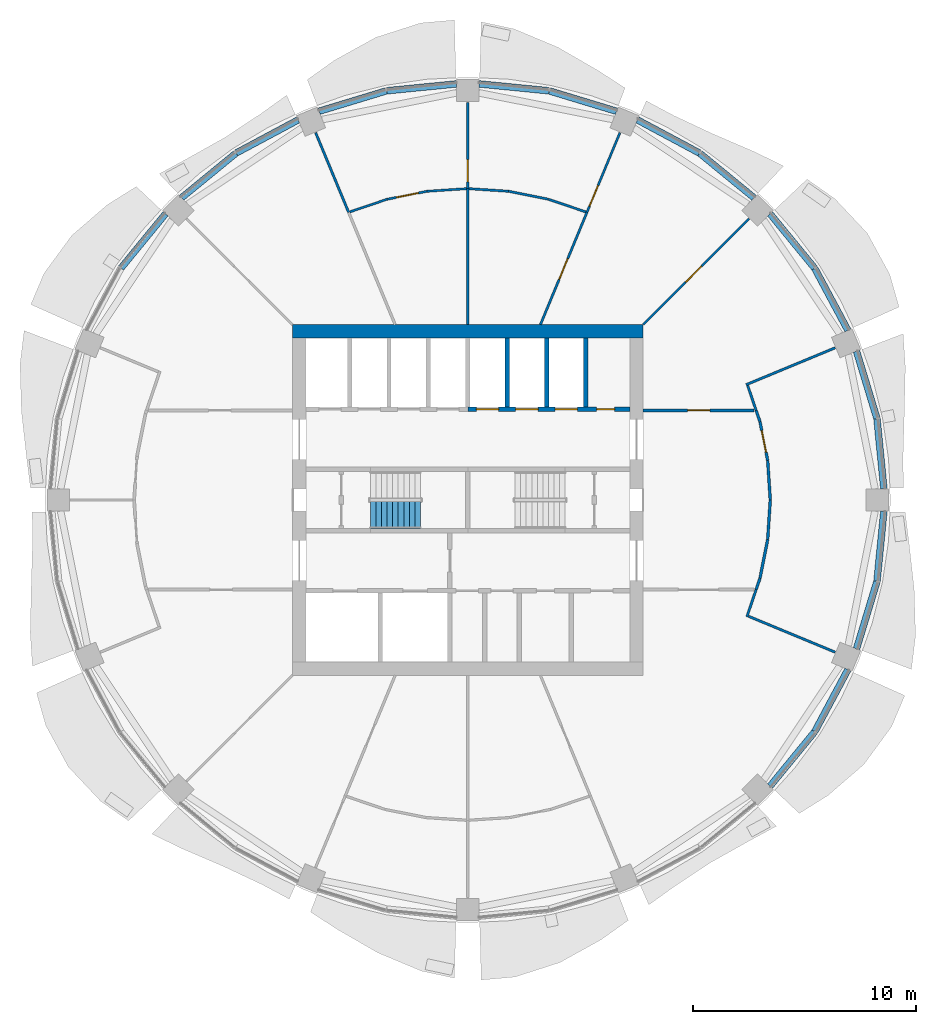
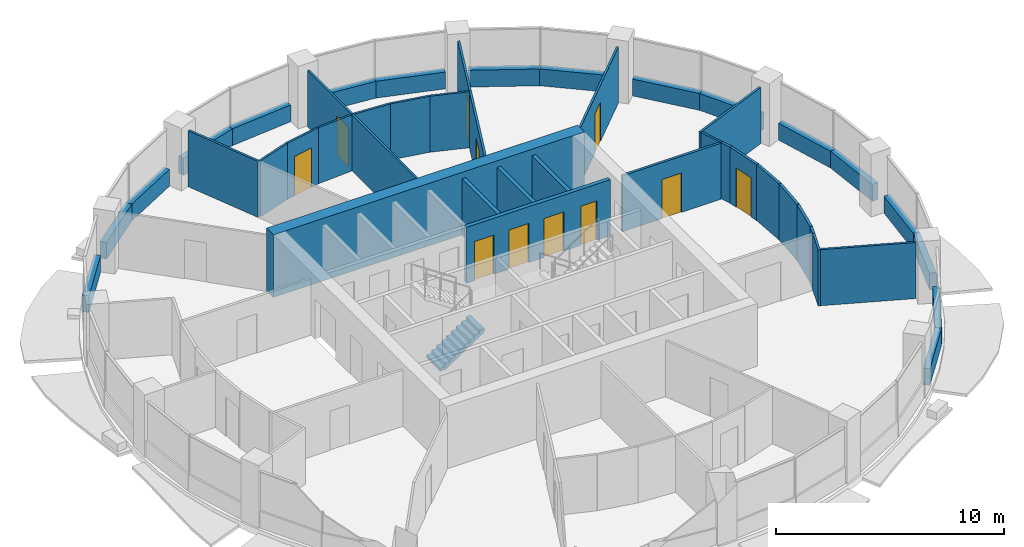
# One storey, part 10 of 15: 45 walls, 11 doors, 1 stair flight, 11 openings, 1 element without a shape of its own.
"""IFC4 building model written with IfcOpenShell, lengths in metres."""

from ifc_helpers import new_model, si_unit, direction, frame, frame_2d, origin, place, context, subcontext, project, spatial, polyline, rectangle, outline, extrude, material, layer, layer_set, type_object, element, fill, aggregate, save


model = new_model("IFC4")

# Units and contexts
model_context = context("Model", 3, precision=1e-05, world=origin(), true_north=direction((0.0, 1.0)))
body_context = subcontext(model_context, "Body", "Model", "MODEL_VIEW")
ifc_project = project(units=[si_unit("LENGTHUNIT", "METRE"), si_unit("AREAUNIT", "SQUARE_METRE"), si_unit("VOLUMEUNIT", "CUBIC_METRE"), si_unit("PLANEANGLEUNIT", "RADIAN"), si_unit("MASSUNIT", "GRAM", prefix="KILO")], contexts=[model_context])

# Site, building, storey
site_placement = place(None, origin())
site = spatial("IfcSite", under=ifc_project, at=site_placement, CompositionType="ELEMENT")
building_placement = place(site_placement, origin())
building = spatial("IfcBuilding", under=site, at=building_placement, Name="Polderwave Tower", CompositionType="ELEMENT")
storey_placement = place(building_placement, frame((0.0, 0.0, 131.0)))
storey = spatial("IfcBuildingStorey", under=building, at=storey_placement, Name="L34", CompositionType="ELEMENT", Elevation=131.0)

# Walls
ifc_material_1 = material(Name="Concrete C60/75", Category="concrete")
ifc_layer_1 = layer(ifc_material_1, 0.60009765625)
ifc_layer_set_1 = layer_set([ifc_layer_1], Name="CORE WALL 600 C60/75")
wall_type_1 = type_object("IfcWallType", Name="CORE WALL 600 C60/75", PredefinedType="SHEAR", material=ifc_layer_set_1)
wall_1_placement = place(storey_placement, frame((-7.8740234375, 7.573974609375, 0.0), z_axis=(0.0, 0.0, 1.0), x_axis=(1.0, 0.0, 0.0)))
element("IfcWall", 1, at=wall_1_placement, inside=storey, type_object=wall_type_1, Name="ST-CORE-L34-N", PredefinedType="SHEAR", context=body_context, shape_type="SweptSolid", body=[
    extrude(rectangle(XDim=15.748046875, YDim=0.60009765625, at=frame_2d((7.8740234375, 0.0))), origin(), (0.0, 0.0, 1.0), 3.35009765625),
])
ifc_material_2 = material(Name="Concrete C50/60 (board-marked)", Category="concrete")
ifc_layer_2 = layer(ifc_material_2, 0.300048828125)
ifc_layer_set_2 = layer_set([ifc_layer_2], Name="Concrete spandrel upstand C50/60")
wall_type_2 = type_object("IfcWallType", Name="Concrete spandrel upstand C50/60", PredefinedType="SOLIDWALL", material=ifc_layer_set_2)
for number, where, z_axis, x_axis, name in (
    (2, (18.679443359375, 0.513916015625, 0.0), (0.0, 0.0, 1.0), (-0.098033428421, 0.995183122301, 0.0), "Spandrel L34 1a"),
    (3, (18.365478515625, 3.66845703125, 0.0), (0.0, 0.0, 1.0), (-0.290434573745, 0.956894852308, 0.0), "Spandrel L34 1b"),
):
    element("IfcWall", number, at=place(storey_placement, frame(where, z_axis=z_axis, x_axis=x_axis)), inside=storey, type_object=wall_type_2, Name=name, PredefinedType="SOLIDWALL", context=body_context, shape_type="SweptSolid", body=[
        extrude(rectangle(XDim=3.140380859375, YDim=0.300048828125, at=frame_2d((1.5703125, 0.0))), origin(), (0.0, 0.0, 1.0), 0.89990234375),
    ])
for number, where, z_axis, x_axis, name in (
    (4, (17.060791015625, 7.623291015625, 0.0), (0.0, 0.0, 1.0), (-0.471487773873, 0.881872597991, 0.0), "Spandrel L34 2a"),
    (5, (15.5634765625, 10.41748046875, 0.0), (0.0, 0.0, 1.0), (-0.634270150579, 0.773111490074, 0.0), "Spandrel L34 2b"),
    (6, (12.845458984375, 13.571533203125, 0.0), (0.0, 0.0, 1.0), (-0.773111490074, 0.634270150579, 0.0), "Spandrel L34 3a"),
    (7, (10.392822265625, 15.580078125, 0.0), (0.0, 0.0, 1.0), (-0.881872597991, 0.471487773873, 0.0), "Spandrel L34 3b"),
):
    element("IfcWall", number, at=place(storey_placement, frame(where, z_axis=z_axis, x_axis=x_axis)), inside=storey, type_object=wall_type_2, Name=name, PredefinedType="SOLIDWALL", context=body_context, shape_type="SweptSolid", body=[
        extrude(rectangle(XDim=3.140625, YDim=0.300048828125, at=frame_2d((1.5703125, 0.0))), origin(), (0.0, 0.0, 1.0), 0.89990234375),
    ])
for number, where, z_axis, x_axis, name in (
    (8, (6.673583984375, 17.453369140625, 0.0), (0.0, 0.0, 1.0), (-0.956894852308, 0.290434573745, 0.0), "Spandrel L34 4a"),
    (9, (3.63916015625, 18.37158203125, 0.0), (0.0, 0.0, 1.0), (-0.995183122301, 0.098033428421, 0.0), "Spandrel L34 4b"),
    (10, (-0.513916015625, 18.679443359375, 0.0), (0.0, 0.0, 1.0), (-0.995183122301, -0.098033428421, 0.0), "Spandrel L34 5a"),
    (11, (-3.66845703125, 18.365478515625, 0.0), (0.0, 0.0, 1.0), (-0.956894852308, -0.290434573745, 0.0), "Spandrel L34 5b"),
):
    element("IfcWall", number, at=place(storey_placement, frame(where, z_axis=z_axis, x_axis=x_axis)), inside=storey, type_object=wall_type_2, Name=name, PredefinedType="SOLIDWALL", context=body_context, shape_type="SweptSolid", body=[
        extrude(rectangle(XDim=3.140380859375, YDim=0.300048828125, at=frame_2d((1.5703125, 0.0))), origin(), (0.0, 0.0, 1.0), 0.89990234375),
    ])
for number, where, z_axis, x_axis, name in (
    (12, (-7.623291015625, 17.060791015625, 0.0), (0.0, 0.0, 1.0), (-0.881872597991, -0.471487773873, 0.0), "Spandrel L34 6a"),
    (13, (-10.41748046875, 15.5634765625, 0.0), (0.0, 0.0, 1.0), (-0.773111490074, -0.634270150579, 0.0), "Spandrel L34 6b"),
    (14, (-13.571533203125, 12.845458984375, 0.0), (0.0, 0.0, 1.0), (-0.634270150579, -0.773111490074, 0.0), "Spandrel L34 7a"),
    (15, (13.571533203125, -12.845458984375, 0.0), (0.0, 0.0, 1.0), (0.634270150579, 0.773111490074, 0.0), "Spandrel L34 15a"),
    (16, (15.580078125, -10.392822265625, 0.0), (0.0, 0.0, 1.0), (0.471487773873, 0.881872597991, 0.0), "Spandrel L34 15b"),
):
    element("IfcWall", number, at=place(storey_placement, frame(where, z_axis=z_axis, x_axis=x_axis)), inside=storey, type_object=wall_type_2, Name=name, PredefinedType="SOLIDWALL", context=body_context, shape_type="SweptSolid", body=[
        extrude(rectangle(XDim=3.140625, YDim=0.300048828125, at=frame_2d((1.5703125, 0.0))), origin(), (0.0, 0.0, 1.0), 0.89990234375),
    ])
for number, where, z_axis, x_axis, name in (
    (17, (17.453369140625, -6.673583984375, 0.0), (0.0, 0.0, 1.0), (0.290434573745, 0.956894852308, 0.0), "Spandrel L34 16a"),
    (18, (18.37158203125, -3.63916015625, 0.0), (0.0, 0.0, 1.0), (0.098033428421, 0.995183122301, 0.0), "Spandrel L34 16b"),
):
    element("IfcWall", number, at=place(storey_placement, frame(where, z_axis=z_axis, x_axis=x_axis)), inside=storey, type_object=wall_type_2, Name=name, PredefinedType="SOLIDWALL", context=body_context, shape_type="SweptSolid", body=[
        extrude(rectangle(XDim=3.140380859375, YDim=0.300048828125, at=frame_2d((1.5703125, 0.0))), origin(), (0.0, 0.0, 1.0), 0.89990234375),
    ])

# Wall, openings, doors
ifc_material_3 = material(Name="Concrete C50/60", Category="concrete")
ifc_layer_3 = layer(ifc_material_3, 0.199951171875)
ifc_layer_set_3 = layer_set([ifc_layer_3], Name="Core web wall 200")
wall_type_3 = type_object("IfcWallType", Name="Core web wall 200", PredefinedType="SHEAR", material=ifc_layer_set_3)
wall_2_placement = place(storey_placement, frame((0.0, 4.073974609375, 0.0), z_axis=(0.0, 0.0, 1.0), x_axis=(1.0, 0.0, 0.0)))
wall_2 = element("IfcWall", 19, at=wall_2_placement, inside=storey, type_object=wall_type_3, Name="L34 north front wall 2", PredefinedType="SHEAR", context=body_context, shape_type="SweptSolid", body=[
    extrude(rectangle(XDim=7.27392578125, YDim=0.199951171875, at=frame_2d((3.636962890625, 0.0))), origin(), (0.0, 0.0, 1.0), 3.0),
])
opening_1_placement = place(wall_2_placement, frame((0.38427734375, 0.0, 0.0)))
opening_1 = element("IfcOpeningElement", 20, at=opening_1_placement, cuts=wall_2, Name="Opening L34-D07", PredefinedType="OPENING", context=body_context, shape_type="SweptSolid", body=[
    extrude(rectangle(XDim=1.0, YDim=2.10009765625, at=frame_2d((0.5, 1.050048828125))), frame((0.0, 0.10986328125, 0.0), z_axis=(0.0, -1.0, 0.0), x_axis=(1.0, 0.0, 0.0)), (0.0, 0.0, 1.0), 0.219970703125),
])
opening_2_placement = place(wall_2_placement, frame((2.15283203125, 0.0, 0.0)))
opening_2 = element("IfcOpeningElement", 21, at=opening_2_placement, cuts=wall_2, Name="Opening L34-D08", PredefinedType="OPENING", context=body_context, shape_type="SweptSolid", body=[
    extrude(rectangle(XDim=1.0, YDim=2.10009765625, at=frame_2d((0.5, 1.050048828125))), frame((0.0, 0.10986328125, 0.0), z_axis=(0.0, -1.0, 0.0), x_axis=(1.0, 0.0, 0.0)), (0.0, 0.0, 1.0), 0.219970703125),
])
opening_3_placement = place(wall_2_placement, frame((3.921142578125, 0.0, 0.0)))
opening_3 = element("IfcOpeningElement", 22, at=opening_3_placement, cuts=wall_2, Name="Opening L34-D09", PredefinedType="OPENING", context=body_context, shape_type="SweptSolid", body=[
    extrude(rectangle(XDim=1.0, YDim=2.10009765625, at=frame_2d((0.5, 1.050048828125))), frame((0.0, 0.10986328125, 0.0), z_axis=(0.0, -1.0, 0.0), x_axis=(1.0, 0.0, 0.0)), (0.0, 0.0, 1.0), 0.219970703125),
])
opening_4_placement = place(wall_2_placement, frame((5.789794921875, 0.0, 0.0)))
opening_4 = element("IfcOpeningElement", 23, at=opening_4_placement, cuts=wall_2, Name="Opening L34-D19", PredefinedType="OPENING", context=body_context, shape_type="SweptSolid", body=[
    extrude(rectangle(XDim=0.800048828125, YDim=2.10009765625, at=frame_2d((0.39990234375, 1.050048828125))), frame((0.0, 0.10986328125, 0.0), z_axis=(0.0, -1.0, 0.0), x_axis=(1.0, 0.0, 0.0)), (0.0, 0.0, 1.0), 0.219970703125),
])
ifc_material_4 = material(Name="Stainless steel", Category="steel")
door_type_1 = type_object("IfcDoorType", Name="Lift landing door 1000", OperationType="DOUBLE_DOOR_SLIDING", PredefinedType="DOOR", material=ifc_material_4)
door_1_placement = place(opening_1_placement, frame((1.0, 0.0, 0.0), z_axis=(0.0, 0.0, 1.0), x_axis=(-1.0, 0.0, 0.0)))
door_1 = element("IfcDoor", 24, at=door_1_placement, inside=storey, type_object=door_type_1, Name="Lift HL5 landing door", OperationType="DOUBLE_DOOR_SLIDING", OverallHeight=2.10009765625, OverallWidth=1.0, PredefinedType="DOOR", context=body_context, shape_type="SweptSolid", body=[
    extrude(rectangle(XDim=1.0, YDim=2.10009765625, at=frame_2d((0.5, 1.050048828125))), frame((0.0, 0.02490234375, 0.0), z_axis=(0.0, -1.0, 0.0), x_axis=(1.0, 0.0, 0.0)), (0.0, 0.0, 1.0), 0.050048828125),
])
fill(opening_1, door_1)
door_2_placement = place(opening_2_placement, frame((1.0, 0.0, 0.0), z_axis=(0.0, 0.0, 1.0), x_axis=(-1.0, 0.0, 0.0)))
door_2 = element("IfcDoor", 25, at=door_2_placement, inside=storey, type_object=door_type_1, Name="Lift HL6 landing door", OperationType="DOUBLE_DOOR_SLIDING", OverallHeight=2.10009765625, OverallWidth=1.0, PredefinedType="DOOR", context=body_context, shape_type="SweptSolid", body=[
    extrude(rectangle(XDim=1.0, YDim=2.10009765625, at=frame_2d((0.5, 1.050048828125))), frame((0.0, 0.02490234375, 0.0), z_axis=(0.0, -1.0, 0.0), x_axis=(1.0, 0.0, 0.0)), (0.0, 0.0, 1.0), 0.050048828125),
])
fill(opening_2, door_2)
door_3_placement = place(opening_3_placement, frame((1.0, 0.0, 0.0), z_axis=(0.0, 0.0, 1.0), x_axis=(-1.0, 0.0, 0.0)))
door_3 = element("IfcDoor", 26, at=door_3_placement, inside=storey, type_object=door_type_1, Name="Lift HL7 landing door", OperationType="DOUBLE_DOOR_SLIDING", OverallHeight=2.10009765625, OverallWidth=1.0, PredefinedType="DOOR", context=body_context, shape_type="SweptSolid", body=[
    extrude(rectangle(XDim=1.0, YDim=2.10009765625, at=frame_2d((0.5, 1.050048828125))), frame((0.0, 0.02490234375, 0.0), z_axis=(0.0, -1.0, 0.0), x_axis=(1.0, 0.0, 0.0)), (0.0, 0.0, 1.0), 0.050048828125),
])
fill(opening_3, door_3)
ifc_material_5 = material(Name="Steel fire door", Category="steel")
door_type_2 = type_object("IfcDoorType", Name="Riser door 800", OperationType="NOTDEFINED", PredefinedType="DOOR", material=ifc_material_5)
door_4_placement = place(opening_4_placement, frame((0.800048828125, 0.0, 0.0), z_axis=(0.0, 0.0, 1.0), x_axis=(-1.0, 0.0, 0.0)))
door_4 = element("IfcDoor", 27, at=door_4_placement, inside=storey, type_object=door_type_2, Name="Riser door", OperationType="SINGLE_SWING_LEFT", OverallHeight=2.10009765625, OverallWidth=0.800048828125, PredefinedType="DOOR", context=body_context, shape_type="SweptSolid", body=[
    extrude(rectangle(XDim=0.800048828125, YDim=2.10009765625, at=frame_2d((0.39990234375, 1.050048828125))), frame((0.0, 0.02490234375, 0.0), z_axis=(0.0, -1.0, 0.0), x_axis=(1.0, 0.0, 0.0)), (0.0, 0.0, 1.0), 0.050048828125),
])
fill(opening_4, door_4)

# Walls
ifc_material_6 = material(Name="Fire-resisting board on steel studs", Category="steel")
ifc_layer_4 = layer(ifc_material_6, 0.125)
ifc_layer_set_4 = layer_set([ifc_layer_4], Name="Corridor wall 125 mm EI 60")
wall_type_4 = type_object("IfcWallType", Name="Corridor wall 125 mm EI 60", PredefinedType="PARTITIONING", material=ifc_layer_set_4)
for number, where, z_axis, x_axis, name in (
    (28, (12.944091796875, 4.0244140625, 0.0), (0.0, 0.0, 1.0), (0.321845361422, -0.946792249298, 0.0), "IN-L34-W001"),
    (29, (13.115966796875, -3.518798828125, 0.0), (0.0, 0.0, 1.0), (-0.321845361422, -0.946792249298, 0.0), "IN-L34-W002"),
):
    element("IfcWall", number, at=place(storey_placement, frame(where, z_axis=z_axis, x_axis=x_axis)), inside=storey, type_object=wall_type_4, Name=name, PredefinedType="PARTITIONING", context=body_context, shape_type="SweptSolid", body=[
        extrude(rectangle(XDim=0.533935546875, YDim=0.125, at=frame_2d((0.26708984375, 0.0))), origin(), (0.0, 0.0, 1.0), 3.0),
    ])

# Wall, opening, door
wall_3_placement = place(storey_placement, frame((13.1181640625, 3.5107421875, 0.0), z_axis=(0.0, 0.0, 1.0), x_axis=(0.194974156358, -0.980808380038, 0.0)))
wall_3 = element("IfcWall", 30, at=wall_3_placement, inside=storey, type_object=wall_type_4, Name="IN-L34-W003", PredefinedType="PARTITIONING", context=body_context, shape_type="SweptSolid", body=[
    extrude(rectangle(XDim=1.76806640625, YDim=0.125, at=frame_2d((0.884033203125, 0.0))), origin(), (0.0, 0.0, 1.0), 3.0),
])
opening_5_placement = place(wall_3_placement, frame((0.39990234375, 0.0, 0.0)))
opening_5 = element("IfcOpeningElement", 31, at=opening_5_placement, cuts=wall_3, Name="Opening L34-D50", PredefinedType="OPENING", context=body_context, shape_type="SweptSolid", body=[
    extrude(rectangle(XDim=1.0, YDim=2.10009765625, at=frame_2d((0.5, 1.050048828125))), frame((0.0, 0.072509765625, 0.0), z_axis=(0.0, -1.0, 0.0), x_axis=(1.0, 0.0, 0.0)), (0.0, 0.0, 1.0), 0.14501953125),
])
ifc_material_7 = material(Name="Timber fire door leaf", Category="wood")
door_type_3 = type_object("IfcDoorType", Name="Fire door FD30S 1000 x 2100", OperationType="NOTDEFINED", PredefinedType="DOOR", material=ifc_material_7)
door_5_placement = place(opening_5_placement, origin())
door_5 = element("IfcDoor", 32, at=door_5_placement, inside=storey, type_object=door_type_3, Name="Door L34-D50", OperationType="SINGLE_SWING_RIGHT", OverallHeight=2.10009765625, OverallWidth=1.0, PredefinedType="DOOR", context=body_context, shape_type="SweptSolid", body=[
    extrude(rectangle(XDim=1.0, YDim=2.10009765625, at=frame_2d((0.5, 1.050048828125))), frame((0.0, 0.02490234375, 0.0), z_axis=(0.0, -1.0, 0.0), x_axis=(1.0, 0.0, 0.0)), (0.0, 0.0, 1.0), 0.050048828125),
])
fill(opening_5, door_5)

# Walls
wall_4_placement = place(storey_placement, frame((13.462890625, -1.776611328125, 0.0), z_axis=(0.0, 0.0, 1.0), x_axis=(-0.194974156358, -0.980808380038, 0.0)))
element("IfcWall", 33, at=wall_4_placement, inside=storey, type_object=wall_type_4, Name="IN-L34-W004", PredefinedType="PARTITIONING", context=body_context, shape_type="SweptSolid", body=[
    extrude(rectangle(XDim=1.76806640625, YDim=0.125, at=frame_2d((0.884033203125, 0.0))), origin(), (0.0, 0.0, 1.0), 3.0),
])
for number, where, z_axis, x_axis, name in (
    (34, (13.464111328125, 1.768310546875, 0.0), (0.0, 0.0, 1.0), (0.06531828113, -0.997864480854, 0.0), "IN-L34-W005"),
    (35, (13.57958984375, -0.004150390625, 0.0), (0.0, 0.0, 1.0), (-0.06531828113, -0.997864480854, 0.0), "IN-L34-W006"),
):
    element("IfcWall", number, at=place(storey_placement, frame(where, z_axis=z_axis, x_axis=x_axis)), inside=storey, type_object=wall_type_4, Name=name, PredefinedType="PARTITIONING", context=body_context, shape_type="SweptSolid", body=[
        extrude(rectangle(XDim=1.767822265625, YDim=0.125, at=frame_2d((0.8837890625, 0.0))), origin(), (0.0, 0.0, 1.0), 3.0),
    ])

# Wall, opening, door
wall_5_placement = place(storey_placement, frame((7.8740234375, 4.0244140625, 0.0), z_axis=(0.0, 0.0, 1.0), x_axis=(1.0, 0.0, 0.0)))
wall_5 = element("IfcWall", 36, at=wall_5_placement, inside=storey, type_object=wall_type_4, Name="IN-L34-W007", PredefinedType="PARTITIONING", context=body_context, shape_type="SweptSolid", body=[
    extrude(rectangle(XDim=4.98291015625, YDim=0.125, at=frame_2d((2.491455078125, 0.0))), origin(), (0.0, 0.0, 1.0), 3.0),
])
opening_6_placement = place(wall_5_placement, frame((2.0, 0.0, 0.0)))
opening_6 = element("IfcOpeningElement", 37, at=opening_6_placement, cuts=wall_5, Name="Opening L34-D51", PredefinedType="OPENING", context=body_context, shape_type="SweptSolid", body=[
    extrude(rectangle(XDim=1.0, YDim=2.10009765625, at=frame_2d((0.5, 1.050048828125))), frame((0.0, 0.072509765625, 0.0), z_axis=(0.0, -1.0, 0.0), x_axis=(1.0, 0.0, 0.0)), (0.0, 0.0, 1.0), 0.14501953125),
])
door_6_placement = place(opening_6_placement, origin())
door_6 = element("IfcDoor", 38, at=door_6_placement, inside=storey, type_object=door_type_3, Name="Door L34-D51", OperationType="SINGLE_SWING_RIGHT", OverallHeight=2.10009765625, OverallWidth=1.0, PredefinedType="DOOR", context=body_context, shape_type="SweptSolid", body=[
    extrude(rectangle(XDim=1.0, YDim=2.10009765625, at=frame_2d((0.5, 1.050048828125))), frame((0.0, 0.02490234375, 0.0), z_axis=(0.0, -1.0, 0.0), x_axis=(1.0, 0.0, 0.0)), (0.0, 0.0, 1.0), 0.050048828125),
])
fill(opening_6, door_6)

ifc_material_8 = material(Name="Plasterboard on steel studs", Category="steel")
ifc_layer_5 = layer(ifc_material_8, 0.10009765625)
ifc_layer_set_5 = layer_set([ifc_layer_5], Name="Partition 100 mm plasterboard on steel studs")
wall_type_5 = type_object("IfcWallType", Name="Partition 100 mm plasterboard on steel studs", PredefinedType="PARTITIONING", material=ifc_layer_set_5)
wall_6_placement = place(storey_placement, frame((7.8740234375, 7.8740234375, 0.0), z_axis=(0.0, 0.0, 1.0), x_axis=(0.707106781187, 0.707106781187, 0.0)))
wall_6 = element("IfcWall", 39, at=wall_6_placement, inside=storey, type_object=wall_type_5, Name="IN-L34-W021", PredefinedType="PARTITIONING", context=body_context, shape_type="SweptSolid", body=[
    extrude(rectangle(XDim=6.71435546875, YDim=0.10009765625, at=frame_2d((3.357177734375, 0.0))), origin(), (0.0, 0.0, 1.0), 3.0),
])
opening_7_placement = place(wall_6_placement, frame((2.699951171875, 0.0, 0.0)))
opening_7 = element("IfcOpeningElement", 40, at=opening_7_placement, cuts=wall_6, Name="Opening L34-D57", PredefinedType="OPENING", context=body_context, shape_type="SweptSolid", body=[
    extrude(rectangle(XDim=1.0, YDim=2.10009765625, at=frame_2d((0.5, 1.050048828125))), frame((0.0, 0.06005859375, 0.0), z_axis=(0.0, -1.0, 0.0), x_axis=(1.0, 0.0, 0.0)), (0.0, 0.0, 1.0), 0.1201171875),
])
ifc_material_9 = material(Name="Timber veneer door leaf", Category="wood")
door_type_4 = type_object("IfcDoorType", Name="Single door 1000 x 2100", OperationType="NOTDEFINED", PredefinedType="DOOR", material=ifc_material_9)
door_7_placement = place(opening_7_placement, origin())
door_7 = element("IfcDoor", 41, at=door_7_placement, inside=storey, type_object=door_type_4, Name="Door L34-D57", OperationType="SINGLE_SWING_LEFT", OverallHeight=2.10009765625, OverallWidth=1.0, PredefinedType="DOOR", context=body_context, shape_type="SweptSolid", body=[
    extrude(rectangle(XDim=1.0, YDim=2.10009765625, at=frame_2d((0.5, 1.050048828125))), frame((0.0, 0.02490234375, 0.0), z_axis=(0.0, -1.0, 0.0), x_axis=(1.0, 0.0, 0.0)), (0.0, 0.0, 1.0), 0.050048828125),
])
fill(opening_7, door_7)

wall_7_placement = place(storey_placement, frame((5.349853515625, 12.915771484375, 0.0), z_axis=(0.0, 0.0, 1.0), x_axis=(0.382674944996, 0.923883048049, 0.0)))
wall_7 = element("IfcWall", 42, at=wall_7_placement, inside=storey, type_object=wall_type_5, Name="IN-L34-W023", PredefinedType="PARTITIONING", context=body_context, shape_type="SweptSolid", body=[
    extrude(rectangle(XDim=3.8701171875, YDim=0.10009765625, at=frame_2d((1.93505859375, 0.0))), origin(), (0.0, 0.0, 1.0), 3.0),
])
opening_8_placement = place(wall_7_placement, frame((0.300048828125, 0.0, 0.0)))
opening_8 = element("IfcOpeningElement", 43, at=opening_8_placement, cuts=wall_7, Name="Opening L34-D59", PredefinedType="OPENING", context=body_context, shape_type="SweptSolid", body=[
    extrude(rectangle(XDim=1.0, YDim=2.10009765625, at=frame_2d((0.5, 1.050048828125))), frame((0.0, 0.06005859375, 0.0), z_axis=(0.0, -1.0, 0.0), x_axis=(1.0, 0.0, 0.0)), (0.0, 0.0, 1.0), 0.1201171875),
])
door_8_placement = place(opening_8_placement, origin())
door_8 = element("IfcDoor", 44, at=door_8_placement, inside=storey, type_object=door_type_4, Name="Door L34-D59", OperationType="SINGLE_SWING_LEFT", OverallHeight=2.10009765625, OverallWidth=1.0, PredefinedType="DOOR", context=body_context, shape_type="SweptSolid", body=[
    extrude(rectangle(XDim=1.0, YDim=2.10009765625, at=frame_2d((0.5, 1.050048828125))), frame((0.0, 0.02490234375, 0.0), z_axis=(0.0, -1.0, 0.0), x_axis=(1.0, 0.0, 0.0)), (0.0, 0.0, 1.0), 0.050048828125),
])
fill(opening_8, door_8)

wall_8_placement = place(storey_placement, frame((0.0, 13.97998046875, 0.0), z_axis=(0.0, 0.0, 1.0), x_axis=(0.0, 1.0, 0.0)))
wall_8 = element("IfcWall", 45, at=wall_8_placement, inside=storey, type_object=wall_type_5, Name="IN-L34-W028", PredefinedType="PARTITIONING", context=body_context, shape_type="SweptSolid", body=[
    extrude(rectangle(XDim=3.8701171875, YDim=0.10009765625, at=frame_2d((1.93505859375, 0.0))), origin(), (0.0, 0.0, 1.0), 3.0),
])
opening_9_placement = place(wall_8_placement, frame((0.300048828125, 0.0, 0.0)))
opening_9 = element("IfcOpeningElement", 46, at=opening_9_placement, cuts=wall_8, Name="Opening L34-D60", PredefinedType="OPENING", context=body_context, shape_type="SweptSolid", body=[
    extrude(rectangle(XDim=1.0, YDim=2.10009765625, at=frame_2d((0.5, 1.050048828125))), frame((0.0, 0.06005859375, 0.0), z_axis=(0.0, -1.0, 0.0), x_axis=(1.0, 0.0, 0.0)), (0.0, 0.0, 1.0), 0.1201171875),
])
door_9_placement = place(opening_9_placement, origin())
door_9 = element("IfcDoor", 47, at=door_9_placement, inside=storey, type_object=door_type_4, Name="Door L34-D60", OperationType="SINGLE_SWING_LEFT", OverallHeight=2.10009765625, OverallWidth=1.0, PredefinedType="DOOR", context=body_context, shape_type="SweptSolid", body=[
    extrude(rectangle(XDim=1.0, YDim=2.10009765625, at=frame_2d((0.5, 1.050048828125))), frame((0.0, 0.02490234375, 0.0), z_axis=(0.0, -1.0, 0.0), x_axis=(1.0, 0.0, 0.0)), (0.0, 0.0, 1.0), 0.050048828125),
])
fill(opening_9, door_9)

# Wall
wall_9_placement = place(storey_placement, frame((-5.294677734375, 12.9345703125, 0.0), z_axis=(0.0, 0.0, 1.0), x_axis=(0.946956178164, 0.321362718181, 0.0)))
element("IfcWall", 48, at=wall_9_placement, inside=storey, type_object=wall_type_5, Name="IN-L34-W029", PredefinedType="PARTITIONING", context=body_context, shape_type="SweptSolid", body=[
    extrude(rectangle(XDim=1.76708984375, YDim=0.10009765625, at=frame_2d((0.883544921875, 0.0))), origin(), (0.0, 0.0, 1.0), 3.0),
])

# Wall, opening, door
wall_10_placement = place(storey_placement, frame((-1.827880859375, 13.85986328125, 0.0), z_axis=(0.0, 0.0, 1.0), x_axis=(-0.980760623666, -0.195214238891, 0.0)))
wall_10 = element("IfcWall", 49, at=wall_10_placement, inside=storey, type_object=wall_type_5, Name="IN-L34-W030", PredefinedType="PARTITIONING", context=body_context, shape_type="SweptSolid", body=[
    extrude(rectangle(XDim=1.822265625, YDim=0.10009765625, at=frame_2d((0.9111328125, 0.0))), origin(), (0.0, 0.0, 1.0), 3.0),
])
opening_10_placement = place(wall_10_placement, frame((0.39990234375, 0.0, 0.0)))
opening_10 = element("IfcOpeningElement", 50, at=opening_10_placement, cuts=wall_10, Name="Opening L34-D61", PredefinedType="OPENING", context=body_context, shape_type="SweptSolid", body=[
    extrude(rectangle(XDim=1.0, YDim=2.10009765625, at=frame_2d((0.5, 1.050048828125))), frame((0.0, 0.06005859375, 0.0), z_axis=(0.0, -1.0, 0.0), x_axis=(1.0, 0.0, 0.0)), (0.0, 0.0, 1.0), 0.1201171875),
])
door_10_placement = place(opening_10_placement, origin())
door_10 = element("IfcDoor", 51, at=door_10_placement, inside=storey, type_object=door_type_4, Name="Door L34-D61", OperationType="SINGLE_SWING_LEFT", OverallHeight=2.10009765625, OverallWidth=1.0, PredefinedType="DOOR", context=body_context, shape_type="SweptSolid", body=[
    extrude(rectangle(XDim=1.0, YDim=2.10009765625, at=frame_2d((0.5, 1.050048828125))), frame((0.0, 0.02490234375, 0.0), z_axis=(0.0, -1.0, 0.0), x_axis=(1.0, 0.0, 0.0)), (0.0, 0.0, 1.0), 0.050048828125),
])
fill(opening_10, door_10)

# Wall
wall_11_placement = place(storey_placement, frame((-1.821533203125, 13.860595703125, 0.0), z_axis=(0.0, 0.0, 1.0), x_axis=(0.997859016196, 0.065401710962, 0.0)))
element("IfcWall", 52, at=wall_11_placement, inside=storey, type_object=wall_type_5, Name="IN-L34-W031", PredefinedType="PARTITIONING", context=body_context, shape_type="SweptSolid", body=[
    extrude(rectangle(XDim=1.76953125, YDim=0.10009765625, at=frame_2d((0.884765625, 0.0))), origin(), (0.0, 0.0, 1.0), 3.0),
])

# Wall, opening, door
ifc_material_10 = material(Name="Moisture-resistant board on steel studs, tiled", Category="steel")
ifc_layer_6 = layer(ifc_material_10, 0.10498046875)
ifc_layer_set_6 = layer_set([ifc_layer_6], Name="Partition 105 mm wet room board and tile")
wall_type_6 = type_object("IfcWallType", Name="Partition 105 mm wet room board and tile", PredefinedType="PARTITIONING", material=ifc_layer_set_6)
wall_12_placement = place(storey_placement, frame((3.261474609375, 7.8740234375, 0.0), z_axis=(0.0, 0.0, 1.0), x_axis=(0.38268632394, 0.923878334777, 0.0)))
wall_12 = element("IfcWall", 53, at=wall_12_placement, inside=storey, type_object=wall_type_6, Name="IN-L34-W022", PredefinedType="PARTITIONING", context=body_context, shape_type="SweptSolid", body=[
    extrude(rectangle(XDim=5.457275390625, YDim=0.10498046875, at=frame_2d((2.728515625, 0.0))), origin(), (0.0, 0.0, 1.0), 3.0),
])
opening_11_placement = place(wall_12_placement, frame((2.199951171875, 0.0, 0.0)))
opening_11 = element("IfcOpeningElement", 54, at=opening_11_placement, cuts=wall_12, Name="Opening L34-D58", PredefinedType="OPENING", context=body_context, shape_type="SweptSolid", body=[
    extrude(rectangle(XDim=1.0, YDim=2.10009765625, at=frame_2d((0.5, 1.050048828125))), frame((0.0, 0.0625, 0.0), z_axis=(0.0, -1.0, 0.0), x_axis=(1.0, 0.0, 0.0)), (0.0, 0.0, 1.0), 0.125),
])
door_11_placement = place(opening_11_placement, origin())
door_11 = element("IfcDoor", 55, at=door_11_placement, inside=storey, type_object=door_type_4, Name="Door L34-D58", OperationType="SINGLE_SWING_LEFT", OverallHeight=2.10009765625, OverallWidth=1.0, PredefinedType="DOOR", context=body_context, shape_type="SweptSolid", body=[
    extrude(rectangle(XDim=1.0, YDim=2.10009765625, at=frame_2d((0.5, 1.050048828125))), frame((0.0, 0.02490234375, 0.0), z_axis=(0.0, -1.0, 0.0), x_axis=(1.0, 0.0, 0.0)), (0.0, 0.0, 1.0), 0.050048828125),
])
fill(opening_11, door_11)

# Walls
wall_13_placement = place(storey_placement, frame((0.055908203125, 13.976318359375, 0.0), z_axis=(0.0, 0.0, 1.0), x_axis=(0.997858425888, -0.065410716895, 0.0)))
element("IfcWall", 56, at=wall_13_placement, inside=storey, type_object=wall_type_6, Name="IN-L34-W024", PredefinedType="PARTITIONING", context=body_context, shape_type="SweptSolid", body=[
    extrude(rectangle(XDim=1.769287109375, YDim=0.10498046875, at=frame_2d((0.884765625, 0.0))), origin(), (0.0, 0.0, 1.0), 3.0),
])
wall_14_placement = place(storey_placement, frame((1.828125, 13.859619140625, 0.0), z_axis=(0.0, 0.0, 1.0), x_axis=(0.980806803366, -0.194982087566, 0.0)))
element("IfcWall", 57, at=wall_14_placement, inside=storey, type_object=wall_type_6, Name="IN-L34-W025", PredefinedType="PARTITIONING", context=body_context, shape_type="SweptSolid", body=[
    extrude(rectangle(XDim=1.82177734375, YDim=0.10498046875, at=frame_2d((0.910888671875, 0.0))), origin(), (0.0, 0.0, 1.0), 3.0),
])
wall_15_placement = place(storey_placement, frame((3.62158203125, 13.50244140625, 0.0), z_axis=(0.0, 0.0, 1.0), x_axis=(0.946944205154, -0.321397996765, 0.0)))
element("IfcWall", 58, at=wall_15_placement, inside=storey, type_object=wall_type_6, Name="IN-L34-W026", PredefinedType="PARTITIONING", context=body_context, shape_type="SweptSolid", body=[
    extrude(rectangle(XDim=1.76904296875, YDim=0.10498046875, at=frame_2d((0.884521484375, 0.0))), origin(), (0.0, 0.0, 1.0), 3.0),
])
wall_16_placement = place(storey_placement, frame((0.0, 7.8740234375, 0.0), z_axis=(0.0, 0.0, 1.0), x_axis=(0.0, 1.0, 0.0)))
element("IfcWall", 59, at=wall_16_placement, inside=storey, type_object=wall_type_6, Name="IN-L34-W027", PredefinedType="PARTITIONING", context=body_context, shape_type="SweptSolid", body=[
    extrude(rectangle(XDim=6.10595703125, YDim=0.10498046875, at=frame_2d((3.052978515625, 0.0))), origin(), (0.0, 0.0, 1.0), 3.0),
])
ifc_material_11 = material(Name="Acoustic double plasterboard on steel studs", Category="steel")
ifc_layer_7 = layer(ifc_material_11, 0.110107421875)
ifc_layer_set_7 = layer_set([ifc_layer_7], Name="Partition 110 mm acoustic double board")
wall_type_7 = type_object("IfcWallType", Name="Partition 110 mm acoustic double board", PredefinedType="PARTITIONING", material=ifc_layer_set_7)
wall_17_placement = place(storey_placement, frame((12.49560546875, 5.17578125, 0.0), z_axis=(0.0, 0.0, 1.0), x_axis=(0.923879914952, 0.382682509071, 0.0)))
element("IfcWall", 60, at=wall_17_placement, inside=storey, type_object=wall_type_7, Name="IN-L34-W017", PredefinedType="PARTITIONING", context=body_context, shape_type="SweptSolid", body=[
    extrude(rectangle(XDim=4.32470703125, YDim=0.110107421875, at=frame_2d((2.162353515625, 0.0))), origin(), (0.0, 0.0, 1.0), 3.0),
])
wall_18_placement = place(storey_placement, frame((12.944091796875, 4.0244140625, 0.0), z_axis=(0.0, 0.0, 1.0), x_axis=(-0.321316236961, 0.946971950939, 0.0)))
element("IfcWall", 61, at=wall_18_placement, inside=storey, type_object=wall_type_7, Name="IN-L34-W018", PredefinedType="PARTITIONING", context=body_context, shape_type="SweptSolid", body=[
    extrude(rectangle(XDim=1.17919921875, YDim=0.110107421875, at=frame_2d((0.589599609375, 0.0))), origin(), (0.0, 0.0, 1.0), 3.0),
])
wall_19_placement = place(storey_placement, frame((12.528564453125, -5.248779296875, 0.0), z_axis=(0.0, 0.0, 1.0), x_axis=(0.321377985385, 0.946950996889, 0.0)))
element("IfcWall", 62, at=wall_19_placement, inside=storey, type_object=wall_type_7, Name="IN-L34-W019", PredefinedType="PARTITIONING", context=body_context, shape_type="SweptSolid", body=[
    extrude(rectangle(XDim=1.29296875, YDim=0.110107421875, at=frame_2d((0.646484375, 0.0))), origin(), (0.0, 0.0, 1.0), 3.0),
])
wall_20_placement = place(storey_placement, frame((16.4912109375, -6.830810546875, 0.0), z_axis=(0.0, 0.0, 1.0), x_axis=(-0.923877633043, 0.382688018055, 0.0)))
element("IfcWall", 63, at=wall_20_placement, inside=storey, type_object=wall_type_7, Name="IN-L34-W020", PredefinedType="PARTITIONING", context=body_context, shape_type="SweptSolid", body=[
    extrude(rectangle(XDim=4.211181640625, YDim=0.110107421875, at=frame_2d((2.10546875, 0.0))), origin(), (0.0, 0.0, 1.0), 3.0),
])
wall_21_placement = place(storey_placement, frame((-5.349853515625, 12.915771484375, 0.0), z_axis=(0.0, 0.0, 1.0), x_axis=(-0.382674944996, 0.923883048049, 0.0)))
element("IfcWall", 64, at=wall_21_placement, inside=storey, type_object=wall_type_7, Name="IN-L34-W033", PredefinedType="PARTITIONING", context=body_context, shape_type="SweptSolid", body=[
    extrude(rectangle(XDim=3.8701171875, YDim=0.110107421875, at=frame_2d((1.93505859375, 0.0))), origin(), (0.0, 0.0, 1.0), 3.0),
])
ifc_material_12 = material(Name="Gypsum shaft wall system")
ifc_layer_8 = layer(ifc_material_12, 0.199951171875)
ifc_layer_set_8 = layer_set([ifc_layer_8], Name="Shaft wall 200")
wall_type_8 = type_object("IfcWallType", Name="Shaft wall 200", PredefinedType="PARTITIONING", material=ifc_layer_set_8)
for number, where, z_axis, x_axis, name in (
    (65, (1.7685546875, 4.174072265625, 0.0), (0.0, 0.0, 1.0), (0.0, 1.0, 0.0), "L34 lift shaft wall N5"),
    (66, (3.537109375, 4.174072265625, 0.0), (0.0, 0.0, 1.0), (0.0, 1.0, 0.0), "L34 lift shaft wall N6"),
    (67, (5.305419921875, 4.174072265625, 0.0), (0.0, 0.0, 1.0), (0.0, 1.0, 0.0), "L34 lift shaft wall N7"),
):
    element("IfcWall", number, at=place(storey_placement, frame(where, z_axis=z_axis, x_axis=x_axis)), inside=storey, type_object=wall_type_8, Name=name, PredefinedType="PARTITIONING", context=body_context, shape_type="SweptSolid", body=[
        extrude(rectangle(XDim=3.099853515625, YDim=0.199951171875, at=frame_2d((1.5498046875, 0.0))), origin(), (0.0, 0.0, 1.0), 3.0),
    ])

# Stair, stair flight
ifc_material_13 = material(Name="Concrete C40/50", Category="concrete")
stair_type = type_object("IfcStairType", Name="Exit stair 1200 x 20 risers", PredefinedType="HALF_TURN_STAIR", material=ifc_material_13)
stair_placement = place(storey_placement, origin())
stair = element("IfcStair", 68, at=stair_placement, inside=storey, type_object=stair_type, Name="L34 Exit stair A", PredefinedType="HALF_TURN_STAIR")
stair_flight_type = type_object("IfcStairFlightType", Name="Stair flight 1200", PredefinedType="STRAIGHT", material=ifc_material_13)
stair_flight_placement = place(storey_placement, frame((-4.3740234375, -0.675048828125, 0.0), z_axis=(0.0, 0.0, 1.0), x_axis=(1.0, 0.0, 0.0)))
stair_flight = element("IfcStairFlight", 69, at=stair_flight_placement, type_object=stair_flight_type, Name="ST-A flight 1", NumberOfRisers=10, NumberOfTreads=9, PredefinedType="STRAIGHT", RiserHeight=0.1675, TreadLength=0.25, context=body_context, shape_type="SweptSolid", body=[
    extrude(outline(polyline([(0.0, 0.0), (0.0, 0.16748046875), (0.25, 0.16748046875), (0.25, 0.3349609375), (0.5, 0.3349609375), (0.5, 0.50244140625), (0.75, 0.50244140625), (0.75, 0.669921875), (1.0, 0.669921875), (1.0, 0.83740234375), (1.25, 0.83740234375), (1.25, 1.0048828125), (1.5, 1.0048828125), (1.5, 1.172607421875), (1.75, 1.172607421875), (1.75, 1.340087890625), (2.0, 1.340087890625), (2.0, 1.507568359375), (2.25, 1.507568359375), (2.25, 1.675048828125), (2.25, 1.3271484375), (0.269287109375, 0.0), (0.0, 0.0)])), frame((0.0, 0.60009765625, 0.0), z_axis=(0.0, -1.0, 0.0), x_axis=(1.0, 0.0, 0.0)), (0.0, 0.0, 1.0), 1.199951171875),
])
aggregate(stair, [stair_flight])

save(model, "model.ifc")
